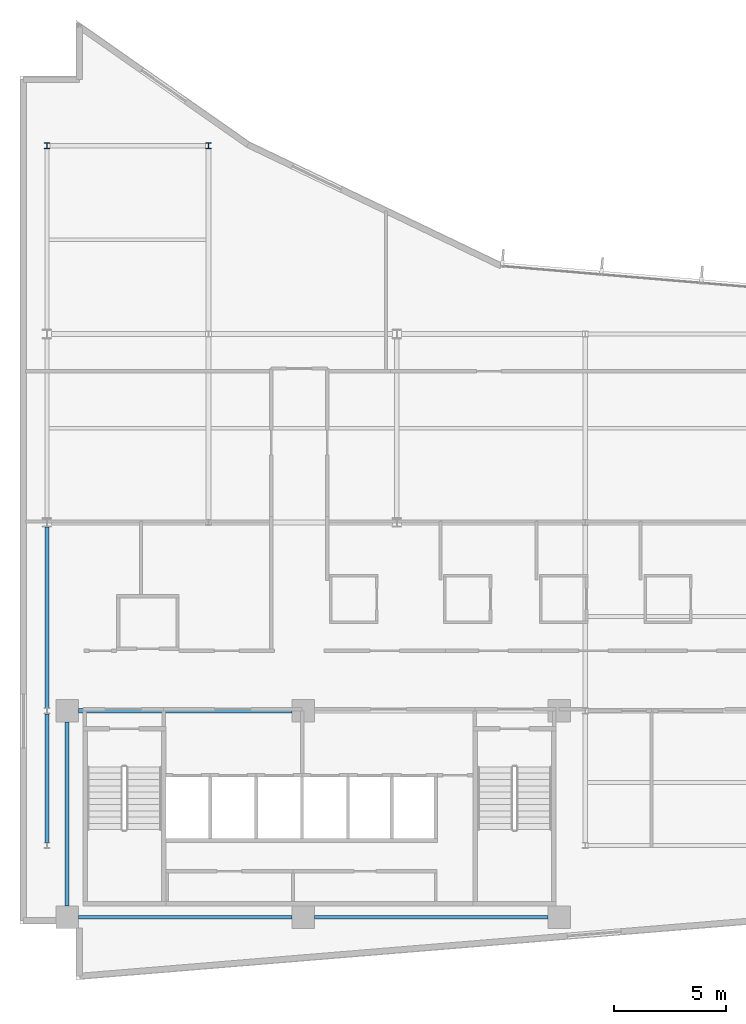
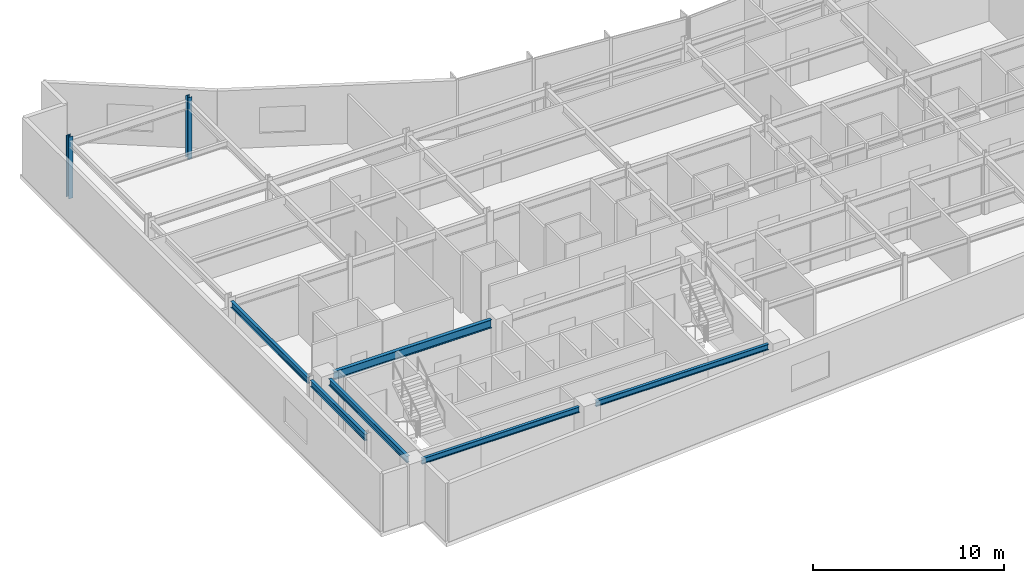
# One storey, part 3 of 15: 6 beams, 2 columns.
"""IFC4 building model written with IfcOpenShell, lengths in metres."""

import ifcopenshell
import ifcopenshell.guid

model = None  # the IFC model being written
_history = None  # IfcOwnerHistory: only IFC2X3 demands one
_inside = {}  # id of a spatial element -> (the spatial element, [elements in it])
_under = {}  # id of a project, library or spatial element -> (it, [spatial elements below it])
_declared = {}  # id of a project -> (the project, [libraries it declares])
_typed = {}  # id of a type object -> (the type object, [elements of that type])
_made_of = {}  # id of a material, layer set ... -> (it, [elements and type objects made of it])


def new_model(schema):
    """Start an empty IFC model of exactly this schema.

    Asked for "IFC4X3", IfcOpenShell would pick the latest addendum, in which some entities
    have other attributes; the version numbers below select the first issue.
    IFC2X3 requires an IfcOwnerHistory on every rooted entity: one is made here for all.
    """
    global model, _history
    if schema == "IFC4X3":
        model = ifcopenshell.file(schema_version=(4, 3, 0, 0))
    else:
        model = ifcopenshell.file(schema=schema)
    _inside.clear()
    _under.clear()
    _declared.clear()
    _typed.clear()
    _made_of.clear()
    _history = None
    if model.schema == "IFC2X3":
        org = make("IfcOrganization", Name="unknown")
        user = make(
            "IfcPersonAndOrganization",
            ThePerson=make("IfcPerson", FamilyName="unknown"),
            TheOrganization=org,
        )
        app = make(
            "IfcApplication",
            ApplicationDeveloper=org,
            Version="unknown",
            ApplicationFullName="unknown",
            ApplicationIdentifier="unknown",
        )
        _history = make(
            "IfcOwnerHistory",
            OwningUser=user,
            OwningApplication=app,
            ChangeAction="ADDED",
            CreationDate=0,
        )
    return model


def make(cls, **values):
    """One entity of the class cls with the attributes given. An attribute that is None is left unset."""
    return model.create_entity(
        cls, **{name: value for name, value in values.items() if value is not None}
    )


def rooted(cls, **values):
    """An entity with a GlobalId (a new one), such as an element, a storey or a relation."""
    return make(cls, GlobalId=ifcopenshell.guid.new(), OwnerHistory=_history, **values)


def si_unit(unit_type, name, prefix=None):
    """IfcSIUnit, for example si_unit("LENGTHUNIT", "METRE", prefix="MILLI")."""
    return make("IfcSIUnit", UnitType=unit_type, Prefix=prefix, Name=name)


def assignment(units):
    """IfcUnitAssignment: the units of a project."""
    return None if units is None else make("IfcUnitAssignment", Units=units)


def point(xyz):
    """IfcCartesianPoint."""
    return None if xyz is None else make("IfcCartesianPoint", Coordinates=xyz)


def direction(xyz):
    """IfcDirection."""
    return None if xyz is None else make("IfcDirection", DirectionRatios=xyz)


def frame(location, z_axis=None, x_axis=None):
    """IfcAxis2Placement3D, a coordinate frame: its origin and axes. An axis left out is left unset."""
    return make(
        "IfcAxis2Placement3D",
        Location=point(location),
        Axis=direction(z_axis),
        RefDirection=direction(x_axis),
    )


def frame_2d(location, x_axis=None):
    """IfcAxis2Placement2D, a coordinate frame in the plane: its origin and x axis."""
    return make(
        "IfcAxis2Placement2D", Location=point(location), RefDirection=direction(x_axis)
    )


def origin():
    """The frame at (0, 0, 0) with its axes left unset."""
    return frame((0.0, 0.0, 0.0))


def origin_2d():
    """The frame at (0, 0) in the plane with its x axis left unset."""
    return frame_2d((0.0, 0.0))


def place(relative_to, where):
    """IfcLocalPlacement: puts the frame where relative to a parent placement (None: the world)."""
    return make(
        "IfcLocalPlacement", PlacementRelTo=relative_to, RelativePlacement=where
    )


def context(
    kind, dimensions, precision=None, world=None, true_north=None, identifier=None
):
    """IfcGeometricRepresentationContext, for example the 3D "Model" context."""
    return make(
        "IfcGeometricRepresentationContext",
        ContextIdentifier=identifier,
        ContextType=kind,
        CoordinateSpaceDimension=dimensions,
        Precision=precision,
        WorldCoordinateSystem=world,
        TrueNorth=true_north,
    )


def subcontext(parent, identifier, kind, view, scale=None):
    """IfcGeometricRepresentationSubContext, for example "Body" below "Model"."""
    return make(
        "IfcGeometricRepresentationSubContext",
        ContextIdentifier=identifier,
        ContextType=kind,
        ParentContext=parent,
        TargetScale=scale,
        TargetView=view,
    )


def project(units=None, contexts=None):
    """IfcProject with its units and contexts."""
    return rooted(
        "IfcProject",
        Name="project",
        RepresentationContexts=contexts,
        UnitsInContext=assignment(units),
    )


def spatial(cls, under=None, at=None, **own):
    """A site, building, storey or space (cls), placed at a placement, below another one or the project."""
    s = rooted(cls, ObjectPlacement=at, **own)
    if under is not None:
        _under.setdefault(under.id(), (under, []))[1].append(s)
    return s


def profile(cls, at=None, kind="AREA", **sizes):
    """A parametric profile (cls). Its sizes go by their IFC names, for example OverallWidth=200.0."""
    return make(cls, ProfileType=kind, Position=at, **sizes)


def i_section(**sizes):
    """IfcIShapeProfileDef."""
    return profile("IfcIShapeProfileDef", **sizes)


def extrude(swept, where, along, depth):
    """IfcExtrudedAreaSolid: the profile swept, set in the frame where, extruded along a direction by depth."""
    return make(
        "IfcExtrudedAreaSolid",
        SweptArea=swept,
        Position=where,
        ExtrudedDirection=direction(along),
        Depth=depth,
    )


def shape(context_of_items, identifier, shape_type, items):
    """IfcShapeRepresentation: the items that make up one representation, for example the "Body"."""
    return make(
        "IfcShapeRepresentation",
        ContextOfItems=context_of_items,
        RepresentationIdentifier=identifier,
        RepresentationType=shape_type,
        Items=items,
    )


def material(Name=None, Category=None):
    """IfcMaterial."""
    return make("IfcMaterial", Name=Name, Category=Category)


def material_profile(
    of_material, cross_section, Name=None, Category=None, Priority=None
):
    """IfcMaterialProfile: a cross section and its material."""
    return make(
        "IfcMaterialProfile",
        Name=Name,
        Material=of_material,
        Profile=cross_section,
        Priority=Priority,
        Category=Category,
    )


def profile_set(profiles, Name=None, composite=None):
    """IfcMaterialProfileSet."""
    return make(
        "IfcMaterialProfileSet",
        Name=Name,
        MaterialProfiles=profiles,
        CompositeProfile=composite,
    )


def made_of(thing, what):
    """Note that an element or type object is made of a material, layer set ...; save() writes the relation."""
    if what is not None:
        _made_of.setdefault(what.id(), (what, []))[1].append(thing)
    return thing


def type_object(cls, material=None, **own):
    """A type object (cls), such as IfcWallType, which elements share."""
    return made_of(rooted(cls, **own), material)


def element(
    cls,
    number,
    at=None,
    inside=None,
    cuts=None,
    type_object=None,
    material=None,
    context=None,
    identifier="Body",
    shape_type=None,
    held_by="IfcProductDefinitionShape",
    body=None,
    shapes=None,
    **own,
):
    """One element of the class cls, such as IfcWall. Its Tag is "e" and its number.

    at: its placement. inside: the storey or other place that contains it. cuts: it is an
    opening in that element (IfcRelVoidsElement). A single representation is given by context,
    identifier, shape_type and body (its items); several are given by shapes. held_by: the class
    of the entity that holds the representations. save() writes the other relations.
    """
    e = rooted(cls, Tag="e%d" % number, ObjectPlacement=at, **own)
    if body is not None:
        shapes = [shape(context, identifier, shape_type, body)]
    if shapes is not None:
        e.Representation = make(held_by, Representations=shapes)
    if inside is not None:
        _inside.setdefault(inside.id(), (inside, []))[1].append(e)
    if cuts is not None:
        rooted(
            "IfcRelVoidsElement", RelatingBuildingElement=cuts, RelatedOpeningElement=e
        )
    if type_object is not None:
        _typed.setdefault(type_object.id(), (type_object, []))[1].append(e)
    return made_of(e, material)


def aggregate(whole, parts):
    """IfcRelAggregates: a whole, such as a stair, and the parts it consists of."""
    return rooted("IfcRelAggregates", RelatingObject=whole, RelatedObjects=parts)


def save(model, path):
    """Write the relations noted so far, then the file.

    IfcRelAggregates (storeys below a building ...), IfcRelContainedInSpatialStructure (elements
    in a storey), IfcRelDefinesByType, IfcRelAssociatesMaterial and IfcRelDeclares: one each for
    every whole, place, type object, material and project.
    """
    for whole, parts in _under.values():
        aggregate(whole, parts)
    for where, things in _inside.values():
        rooted(
            "IfcRelContainedInSpatialStructure",
            RelatedElements=things,
            RelatingStructure=where,
        )
    for kind, things in _typed.values():
        rooted("IfcRelDefinesByType", RelatedObjects=things, RelatingType=kind)
    for what, things in _made_of.values():
        rooted("IfcRelAssociatesMaterial", RelatedObjects=things, RelatingMaterial=what)
    for by, libraries in _declared.values():
        rooted("IfcRelDeclares", RelatingContext=by, RelatedDefinitions=libraries)
    model.write(path)


model = new_model("IFC4")

# Units and contexts
model_context = context("Model", 3, precision=1e-05, world=origin(), true_north=direction((0.0, 1.0)))
body_context = subcontext(model_context, "Body", "Model", "MODEL_VIEW")
ifc_project = project(units=[si_unit("LENGTHUNIT", "METRE"), si_unit("AREAUNIT", "SQUARE_METRE"), si_unit("VOLUMEUNIT", "CUBIC_METRE"), si_unit("PLANEANGLEUNIT", "RADIAN"), si_unit("MASSUNIT", "GRAM", prefix="KILO")], contexts=[model_context])

# Site, building, storey
site_placement = place(None, origin())
site = spatial("IfcSite", under=ifc_project, at=site_placement, CompositionType="ELEMENT")
building_placement = place(site_placement, origin())
building = spatial("IfcBuilding", under=site, at=building_placement, Name="Varnakote Quay Hospital", CompositionType="ELEMENT")
storey_placement = place(building_placement, frame((0.0, 0.0, 192.10009765625)))
storey = spatial("IfcBuildingStorey", under=building, at=storey_placement, Name="L47", CompositionType="ELEMENT", Elevation=192.10009765625)

# Columns
ifc_material_1 = material(Name="Structural steel AS/NZS 3679.1 Grade 350 L0 (fy 340 MPa)", Category="steel")
ifc_material_profile_1 = material_profile(ifc_material_1, i_section(OverallWidth=0.256103515625, OverallDepth=0.260009765625, WebThickness=0.010498046875, FlangeThickness=0.017333984375, FilletRadius=0.0126953125, at=origin_2d()), Name="250UC89.5")
ifc_profile_set_1 = profile_set([ifc_material_profile_1], Name="Structural steel AS/NZS 3679.1 Grade 350 L0 (fy 340 MPa)")
column_type = type_object("IfcColumnType", Name="COL-STL-250UC89-5", PredefinedType="COLUMN", material=ifc_profile_set_1)
for number, where, z_axis, x_axis, name in (
    (1, (1.199951171875, 37.199951171875, 0.0), (0.0, 0.0, 1.0), (1.0, 0.0, 0.0), "L47 Structural Column C-1-37"),
    (2, (8.39990234375, 37.199951171875, 0.0), (0.0, 0.0, 1.0), (1.0, 0.0, 0.0), "L47 Structural Column C-8-37"),
):
    element("IfcColumn", number, at=place(storey_placement, frame(where, z_axis=z_axis, x_axis=x_axis)), inside=storey, type_object=column_type, Name=name, PredefinedType="COLUMN", context=body_context, shape_type="SweptSolid", body=[
        extrude(i_section(OverallWidth=0.256103515625, OverallDepth=0.260009765625, WebThickness=0.010498046875, FlangeThickness=0.017333984375, FilletRadius=0.0126953125, at=origin_2d()), origin(), (0.0, 0.0, 1.0), 3.949951171875),
    ])

# Beams
ifc_material_2 = material(Name="Structural steel AS/NZS 3679.1 Grade 350 L0 (fy 340 MPa)", Category="steel")
ifc_material_profile_2 = material_profile(ifc_material_2, i_section(OverallWidth=0.208984375, OverallDepth=0.532958984375, WebThickness=0.01025390625, FlangeThickness=0.015625, FilletRadius=0.013916015625, at=origin_2d()), Name="530UB92.4")
ifc_profile_set_2 = profile_set([ifc_material_profile_2], Name="Structural steel AS/NZS 3679.1 Grade 350 L0 (fy 340 MPa)")
beam_type_1 = type_object("IfcBeamType", Name="BM-STL-530UB92-4", PredefinedType="BEAM", material=ifc_profile_set_2)
beam_1_placement = place(storey_placement, frame((2.60009765625, 12.0, 3.443359375), z_axis=(1.0, 0.0, 0.0), x_axis=(0.0, 1.0, 0.0)))
element("IfcBeam", 3, at=beam_1_placement, inside=storey, type_object=beam_type_1, Name="L47 Primary Floor Beam", PredefinedType="BEAM", context=body_context, shape_type="SweptSolid", body=[
    extrude(i_section(OverallWidth=0.208984375, OverallDepth=0.532958984375, WebThickness=0.01025390625, FlangeThickness=0.015625, FilletRadius=0.013916015625, at=origin_2d()), origin(), (0.0, 0.0, 1.0), 9.52001953125),
])
ifc_material_3 = material(Name="Structural steel AS/NZS 3679.1 Grade 350 L0 (fy 340 MPa)", Category="steel")
ifc_material_profile_3 = material_profile(ifc_material_3, i_section(OverallWidth=0.172119140625, OverallDepth=0.35888671875, WebThickness=0.008056640625, FlangeThickness=0.012939453125, FilletRadius=0.011474609375, at=origin_2d()), Name="360UB56.7")
ifc_profile_set_3 = profile_set([ifc_material_profile_3], Name="Structural steel AS/NZS 3679.1 Grade 350 L0 (fy 340 MPa)")
beam_type_2 = type_object("IfcBeamType", Name="SPN-STL-360UB56-7", PredefinedType="SPANDREL", material=ifc_profile_set_3)
beam_2_placement = place(storey_placement, frame((2.60009765625, 2.800048828125, 3.530517578125), z_axis=(1.0, 0.0, 0.0), x_axis=(0.0, 1.0, 0.0)))
element("IfcBeam", 4, at=beam_2_placement, inside=storey, type_object=beam_type_2, Name="L47 Perimeter Spandrel Beam", PredefinedType="SPANDREL", context=body_context, shape_type="SweptSolid", body=[
    extrude(i_section(OverallWidth=0.172119140625, OverallDepth=0.35888671875, WebThickness=0.008056640625, FlangeThickness=0.012939453125, FilletRadius=0.011474609375, at=origin_2d()), origin(), (0.0, 0.0, 1.0), 9.52001953125),
])
beam_3_placement = place(storey_placement, frame((13.1201171875, 2.800048828125, 3.530517578125), z_axis=(1.0, 0.0, 0.0), x_axis=(0.0, 1.0, 0.0)))
element("IfcBeam", 5, at=beam_3_placement, inside=storey, type_object=beam_type_2, Name="L47 Perimeter Spandrel Beam", PredefinedType="SPANDREL", context=body_context, shape_type="SweptSolid", body=[
    extrude(i_section(OverallWidth=0.172119140625, OverallDepth=0.35888671875, WebThickness=0.008056640625, FlangeThickness=0.012939453125, FilletRadius=0.011474609375, at=origin_2d()), origin(), (0.0, 0.0, 1.0), 10.429931640625),
])
ifc_material_4 = material(Name="Structural steel AS/NZS 3679.1 Grade 350 L0 (fy 340 MPa)", Category="steel")
ifc_material_profile_4 = material_profile(ifc_material_4, i_section(OverallWidth=0.177978515625, OverallDepth=0.403076171875, WebThickness=0.007568359375, FlangeThickness=0.010986328125, FilletRadius=0.011474609375, at=origin_2d()), Name="410UB53.7")
ifc_profile_set_4 = profile_set([ifc_material_profile_4], Name="Structural steel AS/NZS 3679.1 Grade 350 L0 (fy 340 MPa)")
beam_type_3 = type_object("IfcBeamType", Name="SPN-STL-410UB53-7", PredefinedType="SPANDREL", material=ifc_profile_set_4)
beam_4_placement = place(storey_placement, frame((1.199951171875, 6.1298828125, 3.50830078125), z_axis=(0.0, 1.0, 0.0), x_axis=(-1.0, 0.0, 0.0)))
element("IfcBeam", 6, at=beam_4_placement, inside=storey, type_object=beam_type_3, Name="L47 Perimeter Spandrel Beam", PredefinedType="SPANDREL", context=body_context, shape_type="SweptSolid", body=[
    extrude(i_section(OverallWidth=0.177978515625, OverallDepth=0.403076171875, WebThickness=0.007568359375, FlangeThickness=0.010986328125, FilletRadius=0.011474609375, at=origin_2d()), origin(), (0.0, 0.0, 1.0), 5.740234375),
])
beam_5_placement = place(storey_placement, frame((1.199951171875, 12.1298828125, 3.50830078125), z_axis=(0.0, 1.0, 0.0), x_axis=(-1.0, 0.0, 0.0)))
element("IfcBeam", 7, at=beam_5_placement, inside=storey, type_object=beam_type_3, Name="L47 Perimeter Spandrel Beam", PredefinedType="SPANDREL", context=body_context, shape_type="SweptSolid", body=[
    extrude(i_section(OverallWidth=0.177978515625, OverallDepth=0.403076171875, WebThickness=0.007568359375, FlangeThickness=0.010986328125, FilletRadius=0.011474609375, at=origin_2d()), origin(), (0.0, 0.0, 1.0), 8.068115234375),
])
beam_6_placement = place(storey_placement, frame((2.10009765625, 3.300048828125, 3.50830078125), z_axis=(0.0, 1.0, 0.0), x_axis=(-1.0, 0.0, 0.0)))
element("IfcBeam", 8, at=beam_6_placement, inside=storey, type_object=beam_type_3, Name="L47 Perimeter Spandrel Beam", PredefinedType="SPANDREL", context=body_context, shape_type="SweptSolid", body=[
    extrude(i_section(OverallWidth=0.177978515625, OverallDepth=0.403076171875, WebThickness=0.007568359375, FlangeThickness=0.010986328125, FilletRadius=0.011474609375, at=origin_2d()), origin(), (0.0, 0.0, 1.0), 8.199951171875),
])

save(model, "model.ifc")
